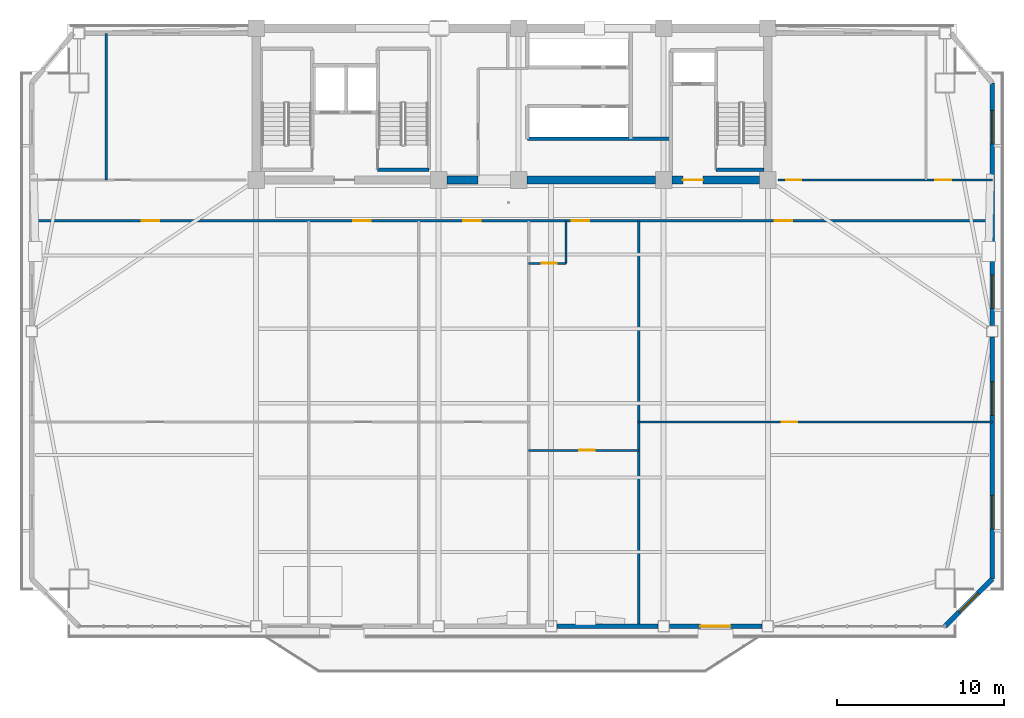
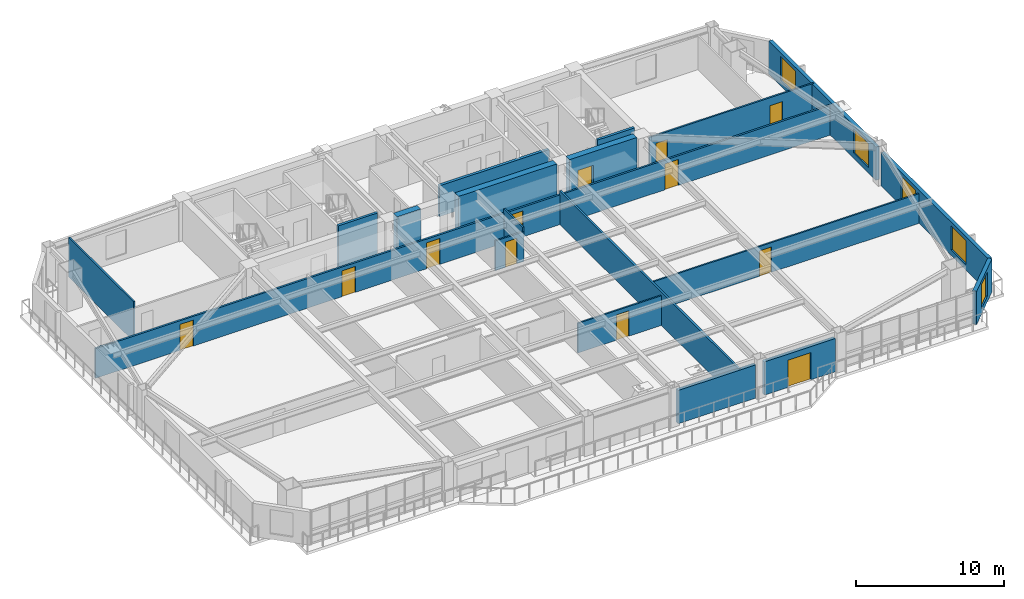
# One storey, part 9 of 17: 19 walls, 12 doors, 5 windows, 17 openings.
"""IFC4 building model written with IfcOpenShell, lengths in metres."""

from ifc_helpers import new_model, si_unit, direction, frame, frame_2d, origin, place, context, subcontext, project, spatial, rectangle, extrude, source, transform, mapped, material, layer, layer_set, type_object, element, fill, save


model = new_model("IFC4")

# Units and contexts
model_context = context("Model", 3, precision=1e-05, world=origin(), true_north=direction((0.0, 1.0)))
body_context = subcontext(model_context, "Body", "Model", "MODEL_VIEW")
ifc_project = project(units=[si_unit("LENGTHUNIT", "METRE"), si_unit("AREAUNIT", "SQUARE_METRE"), si_unit("VOLUMEUNIT", "CUBIC_METRE"), si_unit("PLANEANGLEUNIT", "RADIAN"), si_unit("MASSUNIT", "GRAM", prefix="KILO")], contexts=[model_context])

# Site, building, storey
site_placement = place(None, origin())
site = spatial("IfcSite", under=ifc_project, at=site_placement, CompositionType="ELEMENT")
building_placement = place(site_placement, origin())
building = spatial("IfcBuilding", under=site, at=building_placement, Name="Giltprow Tower", CompositionType="ELEMENT")
storey_placement = place(building_placement, frame((0.0, 0.0, 195.699951171875)))
storey = spatial("IfcBuildingStorey", under=building, at=storey_placement, Name="L49", CompositionType="ELEMENT", Elevation=195.699951171875)

# Wall, opening, window
ifc_material_1 = material(Name="Precast concrete C40", Category="concrete")
ifc_layer_1 = layer(ifc_material_1, 0.300048828125, Name="Precast concrete C40")
ifc_layer_set_1 = layer_set([ifc_layer_1], Name="Precast concrete C40")
wall_type_1 = type_object("IfcWallType", Name="EW-NOTCH-CHAMFER-300", PredefinedType="SOLIDWALL", material=ifc_layer_set_1)
wall_1_placement = place(storey_placement, frame((61.177001953125, 10.679931640625, 0.0), z_axis=(0.0, 0.0, 1.0), x_axis=(0.707106781187, 0.707106781187, 0.0)))
wall_1 = element("IfcWall", 1, at=wall_1_placement, inside=storey, type_object=wall_type_1, Name="L49 Corner Notch Wall SE", PredefinedType="SOLIDWALL", context=body_context, shape_type="SweptSolid", body=[
    extrude(rectangle(XDim=4.00927734375, YDim=0.300048828125, at=frame_2d((2.004638671875, 0.0))), origin(), (0.0, 0.0, 1.0), 2.75),
])
opening_1_placement = place(wall_1_placement, frame((1.205078125, 0.0, 0.449951171875)))
opening_1 = element("IfcOpeningElement", 2, at=opening_1_placement, cuts=wall_1, Name="Opening WN17", PredefinedType="OPENING", context=body_context, shape_type="SweptSolid", body=[
    extrude(rectangle(XDim=1.60009765625, YDim=2.0, at=frame_2d((0.800048828125, 1.0))), frame((0.0, 0.159912109375, 0.0), z_axis=(0.0, -1.0, 0.0), x_axis=(1.0, 0.0, 0.0)), (0.0, 0.0, 1.0), 0.320068359375),
])
ifc_material_2 = material(Name="Insulated glass", Category="glass")
window_type_1 = type_object("IfcWindowType", Name="WN-COR-1600x2000", PartitioningType="SINGLE_PANEL", PredefinedType="WINDOW", material=ifc_material_2)
shared_shape_1 = source(origin(), body_context, "Body", "SweptSolid", [
    extrude(rectangle(XDim=1.60009765625, YDim=2.0, at=frame_2d((0.800048828125, 1.0))), frame((0.0, 0.030029296875, 0.0), z_axis=(0.0, -1.0, 0.0), x_axis=(1.0, 0.0, 0.0)), (0.0, 0.0, 1.0), 0.06005859375),
])
window_1_placement = place(opening_1_placement, origin())
window_1 = element("IfcWindow", 3, at=window_1_placement, inside=storey, type_object=window_type_1, Name="L49 Corner Notch Window SE", OverallHeight=2.0, OverallWidth=1.60009765625, PartitioningType="SINGLE_PANEL", PredefinedType="WINDOW", context=body_context, shape_type="MappedRepresentation", body=[
    mapped(shared_shape_1, transform((0.0, 0.0, 0.0), x_axis=(1.0, 0.0, 0.0), y_axis=(0.0, 1.0, 0.0), z_axis=(0.0, 0.0, 1.0), scale=1.0)),
])
fill(opening_1, window_1)

# Wall
ifc_layer_2 = layer(ifc_material_1, 0.280029296875, Name="Precast concrete C40")
ifc_layer_set_2 = layer_set([ifc_layer_2], Name="Precast concrete C40")
wall_type_2 = type_object("IfcWallType", Name="EW-TOW-BRONZE-280", PredefinedType="SOLIDWALL", material=ifc_layer_set_2)
wall_2_placement = place(storey_placement, frame((37.89990234375, 10.679931640625, 0.0), z_axis=(0.0, 0.0, 1.0), x_axis=(1.0, 0.0, 0.0)))
element("IfcWall", 4, at=wall_2_placement, inside=storey, type_object=wall_type_2, Name="L49 South Expressed Frame Wall 4", PredefinedType="SOLIDWALL", context=body_context, shape_type="SweptSolid", body=[
    extrude(rectangle(XDim=6.050048828125, YDim=0.280029296875, at=frame_2d((3.02490234375, 0.0))), origin(), (0.0, 0.0, 1.0), 2.75),
])

# Wall, opening, door
wall_3_placement = place(storey_placement, frame((44.64990234375, 10.679931640625, 0.0), z_axis=(0.0, 0.0, 1.0), x_axis=(1.0, 0.0, 0.0)))
wall_3 = element("IfcWall", 5, at=wall_3_placement, inside=storey, type_object=wall_type_2, Name="L49 South Expressed Frame Wall 5", PredefinedType="SOLIDWALL", context=body_context, shape_type="SweptSolid", body=[
    extrude(rectangle(XDim=5.550048828125, YDim=0.280029296875, at=frame_2d((2.77490234375, 0.0))), origin(), (0.0, 0.0, 1.0), 2.75),
])
opening_2_placement = place(wall_3_placement, frame((1.85009765625, 0.0, 0.0)))
opening_2 = element("IfcOpeningElement", 6, at=opening_2_placement, cuts=wall_3, Name="Opening ED25", PredefinedType="OPENING", context=body_context, shape_type="SweptSolid", body=[
    extrude(rectangle(XDim=1.800048828125, YDim=2.25, at=frame_2d((0.89990234375, 1.125))), frame((0.0, 0.14990234375, 0.0), z_axis=(0.0, -1.0, 0.0), x_axis=(1.0, 0.0, 0.0)), (0.0, 0.0, 1.0), 0.300048828125),
])
ifc_material_3 = material(Name="Anodized bronze and glass", Category="glass")
door_type_1 = type_object("IfcDoorType", Name="DR-BALC-SLIDE-1800", OperationType="SLIDING_TO_LEFT", PredefinedType="DOOR", material=ifc_material_3)
shared_shape_2 = source(origin(), body_context, "Body", "SweptSolid", [
    extrude(rectangle(XDim=1.800048828125, YDim=2.25, at=frame_2d((0.89990234375, 1.125))), frame((0.0, 0.02490234375, 0.0), z_axis=(0.0, -1.0, 0.0), x_axis=(1.0, 0.0, 0.0)), (0.0, 0.0, 1.0), 0.050048828125),
])
door_1_placement = place(opening_2_placement, origin())
door_1 = element("IfcDoor", 7, at=door_1_placement, inside=storey, type_object=door_type_1, Name="L49 Waterfront Balcony Sliding Door 2", OperationType="SLIDING_TO_LEFT", OverallHeight=2.25, OverallWidth=1.800048828125, PredefinedType="DOOR", context=body_context, shape_type="MappedRepresentation", body=[
    mapped(shared_shape_2, transform((0.0, 0.0, 0.0), x_axis=(1.0, 0.0, 0.0), y_axis=(0.0, 1.0, 0.0), z_axis=(0.0, 0.0, 1.0), scale=1.0)),
])
fill(opening_2, door_1)

# Wall, openings, windows
wall_4_placement = place(storey_placement, frame((64.011962890625, 13.514892578125, 0.0), z_axis=(0.0, 0.0, 1.0), x_axis=(0.0, 1.0, 0.0)))
wall_4 = element("IfcWall", 8, at=wall_4_placement, inside=storey, type_object=wall_type_2, Name="L49 E Wing Masonry Wall 1", PredefinedType="SOLIDWALL", context=body_context, shape_type="SweptSolid", body=[
    extrude(rectangle(XDim=14.525146484375, YDim=0.280029296875, at=frame_2d((7.2626953125, 0.0))), origin(), (0.0, 0.0, 1.0), 2.75),
])
opening_3_placement = place(wall_4_placement, frame((3.01708984375, 0.0, 0.449951171875)))
opening_3 = element("IfcOpeningElement", 9, at=opening_3_placement, cuts=wall_4, Name="Opening WN21", PredefinedType="OPENING", context=body_context, shape_type="SweptSolid", body=[
    extrude(rectangle(XDim=2.0, YDim=2.0, at=frame_2d((1.0, 1.0))), frame((0.0, 0.14990234375, 0.0), z_axis=(0.0, -1.0, 0.0), x_axis=(1.0, 0.0, 0.0)), (0.0, 0.0, 1.0), 0.300048828125),
])
opening_4_placement = place(wall_4_placement, frame((9.824951171875, 0.0, 0.449951171875)))
opening_4 = element("IfcOpeningElement", 10, at=opening_4_placement, cuts=wall_4, Name="Opening WN21", PredefinedType="OPENING", context=body_context, shape_type="SweptSolid", body=[
    extrude(rectangle(XDim=2.0, YDim=2.0, at=frame_2d((1.0, 1.0))), frame((0.0, 0.14990234375, 0.0), z_axis=(0.0, -1.0, 0.0), x_axis=(1.0, 0.0, 0.0)), (0.0, 0.0, 1.0), 0.300048828125),
])
window_type_2 = type_object("IfcWindowType", Name="WN-HTL-2000x2000", PartitioningType="DOUBLE_PANEL_VERTICAL", PredefinedType="WINDOW", material=ifc_material_2)
shared_shape_3 = source(origin(), body_context, "Body", "SweptSolid", [
    extrude(rectangle(XDim=2.0, YDim=2.0, at=frame_2d((1.0, 1.0))), frame((0.0, 0.030029296875, 0.0), z_axis=(0.0, -1.0, 0.0), x_axis=(1.0, 0.0, 0.0)), (0.0, 0.0, 1.0), 0.06005859375),
])
window_2_placement = place(opening_3_placement, origin())
window_2 = element("IfcWindow", 11, at=window_2_placement, inside=storey, type_object=window_type_2, Name="L49 E Wing Window 1-1A", OverallHeight=2.0, OverallWidth=2.0, PartitioningType="SINGLE_PANEL", PredefinedType="WINDOW", context=body_context, shape_type="MappedRepresentation", body=[
    mapped(shared_shape_3, transform((0.0, 0.0, 0.0), x_axis=(1.0, 0.0, 0.0), y_axis=(0.0, 1.0, 0.0), z_axis=(0.0, 0.0, 1.0), scale=1.0)),
])
fill(opening_3, window_2)
window_3_placement = place(opening_4_placement, origin())
window_3 = element("IfcWindow", 12, at=window_3_placement, inside=storey, type_object=window_type_2, Name="L49 E Wing Window 1-1B", OverallHeight=2.0, OverallWidth=2.0, PartitioningType="SINGLE_PANEL", PredefinedType="WINDOW", context=body_context, shape_type="MappedRepresentation", body=[
    mapped(shared_shape_3, transform((0.0, 0.0, 0.0), x_axis=(1.0, 0.0, 0.0), y_axis=(0.0, 1.0, 0.0), z_axis=(0.0, 0.0, 1.0), scale=1.0)),
])
fill(opening_4, window_3)

wall_5_placement = place(storey_placement, frame((64.011962890625, 28.739990234375, 0.0), z_axis=(0.0, 0.0, 1.0), x_axis=(0.0, 1.0, 0.0)))
wall_5 = element("IfcWall", 13, at=wall_5_placement, inside=storey, type_object=wall_type_2, Name="L49 E Wing Masonry Wall 2", PredefinedType="SOLIDWALL", context=body_context, shape_type="SweptSolid", body=[
    extrude(rectangle(XDim=14.52490234375, YDim=0.280029296875, at=frame_2d((7.262451171875, 0.0))), origin(), (0.0, 0.0, 1.0), 2.75),
])
opening_5_placement = place(wall_5_placement, frame((1.011962890625, 0.0, 0.449951171875)))
opening_5 = element("IfcOpeningElement", 14, at=opening_5_placement, cuts=wall_5, Name="Opening WN21", PredefinedType="OPENING", context=body_context, shape_type="SweptSolid", body=[
    extrude(rectangle(XDim=2.0, YDim=2.0, at=frame_2d((1.0, 1.0))), frame((0.0, 0.14990234375, 0.0), z_axis=(0.0, -1.0, 0.0), x_axis=(1.0, 0.0, 0.0)), (0.0, 0.0, 1.0), 0.300048828125),
])
opening_6_placement = place(wall_5_placement, frame((10.884033203125, 0.0, 0.449951171875)))
opening_6 = element("IfcOpeningElement", 15, at=opening_6_placement, cuts=wall_5, Name="Opening WN21", PredefinedType="OPENING", context=body_context, shape_type="SweptSolid", body=[
    extrude(rectangle(XDim=2.0, YDim=2.0, at=frame_2d((1.0, 1.0))), frame((0.0, 0.14990234375, 0.0), z_axis=(0.0, -1.0, 0.0), x_axis=(1.0, 0.0, 0.0)), (0.0, 0.0, 1.0), 0.300048828125),
])
window_4_placement = place(opening_5_placement, origin())
window_4 = element("IfcWindow", 16, at=window_4_placement, inside=storey, type_object=window_type_2, Name="L49 E Wing Window 2-1", OverallHeight=2.0, OverallWidth=2.0, PartitioningType="SINGLE_PANEL", PredefinedType="WINDOW", context=body_context, shape_type="MappedRepresentation", body=[
    mapped(shared_shape_3, transform((0.0, 0.0, 0.0), x_axis=(1.0, 0.0, 0.0), y_axis=(0.0, 1.0, 0.0), z_axis=(0.0, 0.0, 1.0), scale=1.0)),
])
fill(opening_5, window_4)
window_5_placement = place(opening_6_placement, origin())
window_5 = element("IfcWindow", 17, at=window_5_placement, inside=storey, type_object=window_type_2, Name="L49 E Wing Window 2-2", OverallHeight=2.0, OverallWidth=2.0, PartitioningType="SINGLE_PANEL", PredefinedType="WINDOW", context=body_context, shape_type="MappedRepresentation", body=[
    mapped(shared_shape_3, transform((0.0, 0.0, 0.0), x_axis=(1.0, 0.0, 0.0), y_axis=(0.0, 1.0, 0.0), z_axis=(0.0, 0.0, 1.0), scale=1.0)),
])
fill(opening_6, window_5)

# Wall, openings, doors
ifc_material_4 = material(Name="Gypsum stud partition", Category="gypsum")
ifc_layer_3 = layer(ifc_material_4, 0.14990234375, Name="Gypsum stud partition")
ifc_layer_set_3 = layer_set([ifc_layer_3], Name="Gypsum stud partition")
wall_type_3 = type_object("IfcWallType", Name="IW-CORR-150", PredefinedType="PARTITIONING", material=ifc_layer_set_3)
wall_6_placement = place(storey_placement, frame((6.388916015625, 35.0, 0.0), z_axis=(0.0, 0.0, 1.0), x_axis=(1.0, 0.0, 0.0)))
wall_6 = element("IfcWall", 18, at=wall_6_placement, inside=storey, type_object=wall_type_3, Name="L49 Hotel Guestroom Corridor Wall", PredefinedType="PARTITIONING", context=body_context, shape_type="SweptSolid", body=[
    extrude(rectangle(XDim=57.623046875, YDim=0.14990234375, at=frame_2d((28.8115234375, 0.0))), origin(), (0.0, 0.0, 1.0), 2.455078125),
])
opening_7_placement = place(wall_6_placement, frame((6.60498046875, 0.0, 0.0)))
opening_7 = element("IfcOpeningElement", 19, at=opening_7_placement, cuts=wall_6, Name="Opening ID31", PredefinedType="OPENING", context=body_context, shape_type="SweptSolid", body=[
    extrude(rectangle(XDim=1.050048828125, YDim=2.14990234375, at=frame_2d((0.52490234375, 1.074951171875))), frame((0.0, 0.0849609375, 0.0), z_axis=(0.0, -1.0, 0.0), x_axis=(1.0, 0.0, 0.0)), (0.0, 0.0, 1.0), 0.169921875),
])
opening_8_placement = place(wall_6_placement, frame((19.2880859375, 0.0, 0.0)))
opening_8 = element("IfcOpeningElement", 20, at=opening_8_placement, cuts=wall_6, Name="Opening ID31", PredefinedType="OPENING", context=body_context, shape_type="SweptSolid", body=[
    extrude(rectangle(XDim=1.050048828125, YDim=2.14990234375, at=frame_2d((0.52490234375, 1.074951171875))), frame((0.0, 0.0849609375, 0.0), z_axis=(0.0, -1.0, 0.0), x_axis=(1.0, 0.0, 0.0)), (0.0, 0.0, 1.0), 0.169921875),
])
opening_9_placement = place(wall_6_placement, frame((25.887939453125, 0.0, 0.0)))
opening_9 = element("IfcOpeningElement", 21, at=opening_9_placement, cuts=wall_6, Name="Opening ID31", PredefinedType="OPENING", context=body_context, shape_type="SweptSolid", body=[
    extrude(rectangle(XDim=1.050048828125, YDim=2.14990234375, at=frame_2d((0.52490234375, 1.074951171875))), frame((0.0, 0.0849609375, 0.0), z_axis=(0.0, -1.0, 0.0), x_axis=(1.0, 0.0, 0.0)), (0.0, 0.0, 1.0), 0.169921875),
])
opening_10_placement = place(wall_6_placement, frame((32.381103515625, 0.0, 0.0)))
opening_10 = element("IfcOpeningElement", 22, at=opening_10_placement, cuts=wall_6, Name="Opening ID31", PredefinedType="OPENING", context=body_context, shape_type="SweptSolid", body=[
    extrude(rectangle(XDim=1.050048828125, YDim=2.14990234375, at=frame_2d((0.52490234375, 1.074951171875))), frame((0.0, 0.0849609375, 0.0), z_axis=(0.0, -1.0, 0.0), x_axis=(1.0, 0.0, 0.0)), (0.0, 0.0, 1.0), 0.169921875),
])
opening_11_placement = place(wall_6_placement, frame((44.56494140625, 0.0, 0.0)))
opening_11 = element("IfcOpeningElement", 23, at=opening_11_placement, cuts=wall_6, Name="Opening ID31", PredefinedType="OPENING", context=body_context, shape_type="SweptSolid", body=[
    extrude(rectangle(XDim=1.050048828125, YDim=2.14990234375, at=frame_2d((0.52490234375, 1.074951171875))), frame((0.0, 0.0849609375, 0.0), z_axis=(0.0, -1.0, 0.0), x_axis=(1.0, 0.0, 0.0)), (0.0, 0.0, 1.0), 0.169921875),
])
ifc_material_5 = material(Name="Engineered timber", Category="wood")
door_type_2 = type_object("IfcDoorType", Name="DR-SUITE-1050", OperationType="SINGLE_SWING_LEFT", PredefinedType="DOOR", material=ifc_material_5)
shared_shape_4 = source(origin(), body_context, "Body", "SweptSolid", [
    extrude(rectangle(XDim=1.050048828125, YDim=2.14990234375, at=frame_2d((0.52490234375, 1.074951171875))), frame((0.0, 0.02490234375, 0.0), z_axis=(0.0, -1.0, 0.0), x_axis=(1.0, 0.0, 0.0)), (0.0, 0.0, 1.0), 0.050048828125),
])
door_2_placement = place(opening_7_placement, origin())
door_2 = element("IfcDoor", 24, at=door_2_placement, inside=storey, type_object=door_type_2, Name="L49 Suite Reception Foyer Door", OperationType="SINGLE_SWING_LEFT", OverallHeight=2.14990234375, OverallWidth=1.050048828125, PredefinedType="DOOR", context=body_context, shape_type="MappedRepresentation", body=[
    mapped(shared_shape_4, transform((0.0, 0.0, 0.0), x_axis=(1.0, 0.0, 0.0), y_axis=(0.0, 1.0, 0.0), z_axis=(0.0, 0.0, 1.0), scale=1.0)),
])
fill(opening_7, door_2)
door_3_placement = place(opening_8_placement, origin())
door_3 = element("IfcDoor", 25, at=door_3_placement, inside=storey, type_object=door_type_2, Name="L49 Suite Reception Foyer Door", OperationType="SINGLE_SWING_LEFT", OverallHeight=2.14990234375, OverallWidth=1.050048828125, PredefinedType="DOOR", context=body_context, shape_type="MappedRepresentation", body=[
    mapped(shared_shape_4, transform((0.0, 0.0, 0.0), x_axis=(1.0, 0.0, 0.0), y_axis=(0.0, 1.0, 0.0), z_axis=(0.0, 0.0, 1.0), scale=1.0)),
])
fill(opening_8, door_3)
door_4_placement = place(opening_9_placement, origin())
door_4 = element("IfcDoor", 26, at=door_4_placement, inside=storey, type_object=door_type_2, Name="L49 Suite Reception Foyer Door", OperationType="SINGLE_SWING_LEFT", OverallHeight=2.14990234375, OverallWidth=1.050048828125, PredefinedType="DOOR", context=body_context, shape_type="MappedRepresentation", body=[
    mapped(shared_shape_4, transform((0.0, 0.0, 0.0), x_axis=(1.0, 0.0, 0.0), y_axis=(0.0, 1.0, 0.0), z_axis=(0.0, 0.0, 1.0), scale=1.0)),
])
fill(opening_9, door_4)
door_5_placement = place(opening_10_placement, origin())
door_5 = element("IfcDoor", 27, at=door_5_placement, inside=storey, type_object=door_type_2, Name="L49 Hotel Room 4 Entry Door", OperationType="SINGLE_SWING_LEFT", OverallHeight=2.14990234375, OverallWidth=1.050048828125, PredefinedType="DOOR", context=body_context, shape_type="MappedRepresentation", body=[
    mapped(shared_shape_4, transform((0.0, 0.0, 0.0), x_axis=(1.0, 0.0, 0.0), y_axis=(0.0, 1.0, 0.0), z_axis=(0.0, 0.0, 1.0), scale=1.0)),
])
fill(opening_10, door_5)
door_6_placement = place(opening_11_placement, origin())
door_6 = element("IfcDoor", 28, at=door_6_placement, inside=storey, type_object=door_type_2, Name="L49 Suite Reception Foyer Door", OperationType="SINGLE_SWING_RIGHT", OverallHeight=2.14990234375, OverallWidth=1.050048828125, PredefinedType="DOOR", context=body_context, shape_type="MappedRepresentation", body=[
    mapped(shared_shape_4, transform((0.0, 0.0, 0.0), x_axis=(1.0, 0.0, 0.0), y_axis=(0.0, 1.0, 0.0), z_axis=(0.0, 0.0, 1.0), scale=1.0)),
])
fill(opening_11, door_6)

# Wall
ifc_layer_4 = layer(ifc_material_4, 0.159912109375, Name="Gypsum stud partition")
ifc_layer_set_4 = layer_set([ifc_layer_4], Name="Gypsum stud partition")
wall_type_4 = type_object("IfcWallType", Name="IW-DEMISE-160", PredefinedType="PARTITIONING", material=ifc_layer_set_4)
wall_7_placement = place(storey_placement, frame((42.800048828125, 10.679931640625, 0.0), z_axis=(0.0, 0.0, 1.0), x_axis=(0.0, 1.0, 0.0)))
element("IfcWall", 29, at=wall_7_placement, inside=storey, type_object=wall_type_4, Name="L49 Hotel Demising Wall 4", PredefinedType="PARTITIONING", context=body_context, shape_type="SweptSolid", body=[
    extrude(rectangle(XDim=24.320068359375, YDim=0.159912109375, at=frame_2d((12.16015625, 0.0))), origin(), (0.0, 0.0, 1.0), 2.755126953125),
])

# Wall, opening, door
ifc_layer_5 = layer(ifc_material_4, 0.1201171875, Name="Gypsum stud partition")
ifc_layer_set_5 = layer_set([ifc_layer_5], Name="Gypsum stud partition")
wall_type_5 = type_object("IfcWallType", Name="IW-ROOM-120", PredefinedType="PARTITIONING", material=ifc_layer_set_5)
wall_8_placement = place(storey_placement, frame((36.199951171875, 21.23388671875, 0.0), z_axis=(0.0, 0.0, 1.0), x_axis=(1.0, 0.0, 0.0)))
wall_8 = element("IfcWall", 30, at=wall_8_placement, inside=storey, type_object=wall_type_5, Name="L49 Suite Parlour Divider 4", PredefinedType="PARTITIONING", context=body_context, shape_type="SweptSolid", body=[
    extrude(rectangle(XDim=6.60009765625, YDim=0.1201171875, at=frame_2d((3.300048828125, 0.0))), origin(), (0.0, 0.0, 1.0), 2.455078125),
])
opening_12_placement = place(wall_8_placement, frame((3.02490234375, 0.0, 0.0)))
opening_12 = element("IfcOpeningElement", 31, at=opening_12_placement, cuts=wall_8, Name="Opening ID11", PredefinedType="OPENING", context=body_context, shape_type="SweptSolid", body=[
    extrude(rectangle(XDim=0.949951171875, YDim=2.10009765625, at=frame_2d((0.47509765625, 1.050048828125))), frame((0.0, 0.070068359375, 0.0), z_axis=(0.0, -1.0, 0.0), x_axis=(1.0, 0.0, 0.0)), (0.0, 0.0, 1.0), 0.14013671875),
])
door_type_3 = type_object("IfcDoorType", Name="DR-ROOM-950", OperationType="SINGLE_SWING_RIGHT", PredefinedType="DOOR", material=ifc_material_5)
shared_shape_5 = source(origin(), body_context, "Body", "SweptSolid", [
    extrude(rectangle(XDim=0.949951171875, YDim=2.10009765625, at=frame_2d((0.47509765625, 1.050048828125))), frame((0.0, 0.02490234375, 0.0), z_axis=(0.0, -1.0, 0.0), x_axis=(1.0, 0.0, 0.0)), (0.0, 0.0, 1.0), 0.050048828125),
])
door_7_placement = place(opening_12_placement, origin())
door_7 = element("IfcDoor", 32, at=door_7_placement, inside=storey, type_object=door_type_3, Name="L49 Harbour Parlour 4 Door", OperationType="SINGLE_SWING_LEFT", OverallHeight=2.10009765625, OverallWidth=0.949951171875, PredefinedType="DOOR", context=body_context, shape_type="MappedRepresentation", body=[
    mapped(shared_shape_5, transform((0.0, 0.0, 0.0), x_axis=(1.0, 0.0, 0.0), y_axis=(0.0, 1.0, 0.0), z_axis=(0.0, 0.0, 1.0), scale=1.0)),
])
fill(opening_12, door_7)

wall_9_placement = place(storey_placement, frame((42.800048828125, 22.93994140625, 0.0), z_axis=(0.0, 0.0, 1.0), x_axis=(1.0, 0.0, 0.0)))
wall_9 = element("IfcWall", 33, at=wall_9_placement, inside=storey, type_object=wall_type_5, Name="L49 Amenity Mid Wall 5", PredefinedType="PARTITIONING", context=body_context, shape_type="SweptSolid", body=[
    extrude(rectangle(XDim=21.2119140625, YDim=0.1201171875, at=frame_2d((10.60595703125, 0.0))), origin(), (0.0, 0.0, 1.0), 2.455078125),
])
opening_13_placement = place(wall_9_placement, frame((8.571044921875, 0.0, 0.0)))
opening_13 = element("IfcOpeningElement", 34, at=opening_13_placement, cuts=wall_9, Name="Opening ID11", PredefinedType="OPENING", context=body_context, shape_type="SweptSolid", body=[
    extrude(rectangle(XDim=0.949951171875, YDim=2.10009765625, at=frame_2d((0.47509765625, 1.050048828125))), frame((0.0, 0.070068359375, 0.0), z_axis=(0.0, -1.0, 0.0), x_axis=(1.0, 0.0, 0.0)), (0.0, 0.0, 1.0), 0.14013671875),
])
door_8_placement = place(opening_13_placement, origin())
door_8 = element("IfcDoor", 35, at=door_8_placement, inside=storey, type_object=door_type_3, Name="L49 Tea Ceremony Kitchen 4 Inner Door", OperationType="SINGLE_SWING_LEFT", OverallHeight=2.10009765625, OverallWidth=0.949951171875, PredefinedType="DOOR", context=body_context, shape_type="MappedRepresentation", body=[
    mapped(shared_shape_5, transform((0.0, 0.0, 0.0), x_axis=(1.0, 0.0, 0.0), y_axis=(0.0, 1.0, 0.0), z_axis=(0.0, 0.0, 1.0), scale=1.0)),
])
fill(opening_13, door_8)

# Walls
ifc_material_6 = material(Name="Concrete C40", Category="concrete")
ifc_layer_6 = layer(ifc_material_6, 0.219970703125, Name="Concrete C40")
ifc_layer_set_6 = layer_set([ifc_layer_6], Name="Concrete C40")
wall_type_6 = type_object("IfcWallType", Name="IW-SHAFT-220", PredefinedType="SOLIDWALL", material=ifc_layer_set_6)
wall_10_placement = place(storey_placement, frame((36.1201171875, 39.919921875, 0.0), z_axis=(0.0, 0.0, 1.0), x_axis=(1.0, 0.0, 0.0)))
element("IfcWall", 36, at=wall_10_placement, inside=storey, type_object=wall_type_6, Name="L49 Mid-Rise South Lift Back Wall", PredefinedType="SOLIDWALL", context=body_context, shape_type="SweptSolid", body=[
    extrude(rectangle(XDim=8.599853515625, YDim=0.219970703125, at=frame_2d((4.2998046875, 0.0))), origin(), (0.0, 0.0, 1.0), 2.554931640625),
])
ifc_layer_7 = layer(ifc_material_6, 0.199951171875, Name="Concrete C40")
ifc_layer_set_7 = layer_set([ifc_layer_7], Name="Concrete C40")
wall_type_7 = type_object("IfcWallType", Name="IW-STAIR-200", PredefinedType="SOLIDWALL", material=ifc_layer_set_7)
wall_11_placement = place(storey_placement, frame((27.139892578125, 38.070068359375, 0.0), z_axis=(0.0, 0.0, 1.0), x_axis=(1.0, 0.0, 0.0)))
element("IfcWall", 37, at=wall_11_placement, inside=storey, type_object=wall_type_7, Name="L49 Stair ST-2 South Bearing Wall", PredefinedType="SOLIDWALL", context=body_context, shape_type="SweptSolid", body=[
    extrude(rectangle(XDim=3.080078125, YDim=0.199951171875, at=frame_2d((1.5400390625, 0.0))), origin(), (0.0, 0.0, 1.0), 3.5),
])
wall_12_placement = place(storey_placement, frame((47.43994140625, 38.070068359375, 0.0), z_axis=(0.0, 0.0, 1.0), x_axis=(1.0, 0.0, 0.0)))
element("IfcWall", 38, at=wall_12_placement, inside=storey, type_object=wall_type_7, Name="L49 Stair ST-3 South Bearing Wall", PredefinedType="SOLIDWALL", context=body_context, shape_type="SweptSolid", body=[
    extrude(rectangle(XDim=2.880126953125, YDim=0.199951171875, at=frame_2d((1.43994140625, 0.0))), origin(), (0.0, 0.0, 1.0), 3.5),
])

# Wall, opening, door
ifc_material_7 = material(Name="Concrete C30", Category="concrete")
ifc_layer_8 = layer(ifc_material_7, 0.1298828125, Name="Concrete C30")
ifc_layer_set_8 = layer_set([ifc_layer_8], Name="Concrete C30")
wall_type_8 = type_object("IfcWallType", Name="IW-WET-130", PredefinedType="PARTITIONING", material=ifc_layer_set_8)
wall_13_placement = place(storey_placement, frame((36.199951171875, 32.449951171875, 0.0), z_axis=(0.0, 0.0, 1.0), x_axis=(1.0, 0.0, 0.0)))
wall_13 = element("IfcWall", 39, at=wall_13_placement, inside=storey, type_object=wall_type_8, Name="L49 En-Suite South Wall 4", PredefinedType="PARTITIONING", context=body_context, shape_type="SweptSolid", body=[
    extrude(rectangle(XDim=2.22998046875, YDim=0.1298828125, at=frame_2d((1.114990234375, 0.0))), origin(), (0.0, 0.0, 1.0), 2.455078125),
])
opening_14_placement = place(wall_13_placement, frame((0.784912109375, 0.0, 0.0)))
opening_14 = element("IfcOpeningElement", 40, at=opening_14_placement, cuts=wall_13, Name="Opening ID15", PredefinedType="OPENING", context=body_context, shape_type="SweptSolid", body=[
    extrude(rectangle(XDim=0.89990234375, YDim=2.10009765625, at=frame_2d((0.449951171875, 1.050048828125))), frame((0.0, 0.074951171875, 0.0), z_axis=(0.0, -1.0, 0.0), x_axis=(1.0, 0.0, 0.0)), (0.0, 0.0, 1.0), 0.14990234375),
])
door_type_4 = type_object("IfcDoorType", Name="DR-WC-900", OperationType="SINGLE_SWING_LEFT", PredefinedType="DOOR", material=ifc_material_5)
shared_shape_6 = source(origin(), body_context, "Body", "SweptSolid", [
    extrude(rectangle(XDim=0.89990234375, YDim=2.10009765625, at=frame_2d((0.449951171875, 1.050048828125))), frame((0.0, 0.02490234375, 0.0), z_axis=(0.0, -1.0, 0.0), x_axis=(1.0, 0.0, 0.0)), (0.0, 0.0, 1.0), 0.050048828125),
])
door_9_placement = place(opening_14_placement, origin())
door_9 = element("IfcDoor", 41, at=door_9_placement, inside=storey, type_object=door_type_4, Name="L49 En-Suite 4 Door", OperationType="SINGLE_SWING_RIGHT", OverallHeight=2.10009765625, OverallWidth=0.89990234375, PredefinedType="DOOR", context=body_context, shape_type="MappedRepresentation", body=[
    mapped(shared_shape_6, transform((0.0, 0.0, 0.0), x_axis=(1.0, 0.0, 0.0), y_axis=(0.0, 1.0, 0.0), z_axis=(0.0, 0.0, 1.0), scale=1.0)),
])
fill(opening_14, door_9)

# Walls
wall_14_placement = place(storey_placement, frame((38.429931640625, 32.449951171875, 0.0), z_axis=(0.0, 0.0, 1.0), x_axis=(0.0, 1.0, 0.0)))
element("IfcWall", 42, at=wall_14_placement, inside=storey, type_object=wall_type_8, Name="L49 En-Suite East Wall 4", PredefinedType="PARTITIONING", context=body_context, shape_type="SweptSolid", body=[
    extrude(rectangle(XDim=2.550048828125, YDim=0.1298828125, at=frame_2d((1.27490234375, 0.0))), origin(), (0.0, 0.0, 1.0), 2.804931640625),
])
wall_15_placement = place(storey_placement, frame((10.860107421875, 37.449951171875, 0.0), z_axis=(0.0, 0.0, 1.0), x_axis=(0.0, 1.0, 0.0)))
element("IfcWall", 43, at=wall_15_placement, inside=storey, type_object=wall_type_8, Name="L49 NW Wing Divider", PredefinedType="PARTITIONING", context=body_context, shape_type="SweptSolid", body=[
    extrude(rectangle(XDim=8.800048828125, YDim=0.1298828125, at=frame_2d((4.39990234375, 0.0))), origin(), (0.0, 0.0, 1.0), 3.27001953125),
])

# Wall, openings, doors
wall_16_placement = place(storey_placement, frame((51.14990234375, 37.449951171875, 0.0), z_axis=(0.0, 0.0, 1.0), x_axis=(1.0, 0.0, 0.0)))
wall_16 = element("IfcWall", 44, at=wall_16_placement, inside=storey, type_object=wall_type_8, Name="L49 NE Wing South Wall", PredefinedType="PARTITIONING", context=body_context, shape_type="SweptSolid", body=[
    extrude(rectangle(XDim=12.862060546875, YDim=0.1298828125, at=frame_2d((6.43115234375, 0.0))), origin(), (0.0, 0.0, 1.0), 2.755126953125),
])
opening_15_placement = place(wall_16_placement, frame((0.5, 0.0, 0.0)))
opening_15 = element("IfcOpeningElement", 45, at=opening_15_placement, cuts=wall_16, Name="Opening ID15", PredefinedType="OPENING", context=body_context, shape_type="SweptSolid", body=[
    extrude(rectangle(XDim=0.89990234375, YDim=2.10009765625, at=frame_2d((0.449951171875, 1.050048828125))), frame((0.0, 0.074951171875, 0.0), z_axis=(0.0, -1.0, 0.0), x_axis=(1.0, 0.0, 0.0)), (0.0, 0.0, 1.0), 0.14990234375),
])
opening_16_placement = place(wall_16_placement, frame((9.443115234375, 0.0, 0.0)))
opening_16 = element("IfcOpeningElement", 46, at=opening_16_placement, cuts=wall_16, Name="Opening ID11", PredefinedType="OPENING", context=body_context, shape_type="SweptSolid", body=[
    extrude(rectangle(XDim=0.949951171875, YDim=2.10009765625, at=frame_2d((0.47509765625, 1.050048828125))), frame((0.0, 0.074951171875, 0.0), z_axis=(0.0, -1.0, 0.0), x_axis=(1.0, 0.0, 0.0)), (0.0, 0.0, 1.0), 0.14990234375),
])
door_10_placement = place(opening_15_placement, origin())
door_10 = element("IfcDoor", 47, at=door_10_placement, inside=storey, type_object=door_type_4, Name="L49 East Wing Washroom Door", OperationType="SINGLE_SWING_RIGHT", OverallHeight=2.10009765625, OverallWidth=0.89990234375, PredefinedType="DOOR", context=body_context, shape_type="MappedRepresentation", body=[
    mapped(shared_shape_6, transform((0.0, 0.0, 0.0), x_axis=(1.0, 0.0, 0.0), y_axis=(0.0, 1.0, 0.0), z_axis=(0.0, 0.0, 1.0), scale=1.0)),
])
fill(opening_15, door_10)
door_11_placement = place(opening_16_placement, origin())
door_11 = element("IfcDoor", 48, at=door_11_placement, inside=storey, type_object=door_type_3, Name="L49 Hotel Floor Linen Store Door", OperationType="SINGLE_SWING_LEFT", OverallHeight=2.10009765625, OverallWidth=0.949951171875, PredefinedType="DOOR", context=body_context, shape_type="MappedRepresentation", body=[
    mapped(shared_shape_5, transform((0.0, 0.0, 0.0), x_axis=(1.0, 0.0, 0.0), y_axis=(0.0, 1.0, 0.0), z_axis=(0.0, 0.0, 1.0), scale=1.0)),
])
fill(opening_16, door_11)

# Walls
ifc_material_8 = material(Name="Concrete C50", Category="concrete")
ifc_layer_9 = layer(ifc_material_8, 0.5, Name="Concrete C50")
ifc_layer_set_9 = layer_set([ifc_layer_9], Name="Concrete C50")
wall_type_9 = type_object("IfcWallType", Name="SW-INT-500-C50", PredefinedType="SHEAR", material=ifc_layer_set_9)
wall_17_placement = place(storey_placement, frame((31.300048828125, 37.449951171875, 0.0), z_axis=(0.0, 0.0, 1.0), x_axis=(1.0, 0.0, 0.0)))
element("IfcWall", 49, at=wall_17_placement, inside=storey, type_object=wall_type_9, Name="L49 South Rear Core Shear Wall Mid-West", PredefinedType="SHEAR", context=body_context, shape_type="SweptSolid", body=[
    extrude(rectangle(XDim=1.849853515625, YDim=0.5, at=frame_2d((0.9248046875, 0.0))), origin(), (0.0, 0.0, 1.0), 3.27001953125),
])
wall_18_placement = place(storey_placement, frame((36.10009765625, 37.449951171875, 0.0), z_axis=(0.0, 0.0, 1.0), x_axis=(1.0, 0.0, 0.0)))
element("IfcWall", 50, at=wall_18_placement, inside=storey, type_object=wall_type_9, Name="L49 South Rear Core Shear Wall Mid-East", PredefinedType="SHEAR", context=body_context, shape_type="SweptSolid", body=[
    extrude(rectangle(XDim=7.699951171875, YDim=0.5, at=frame_2d((3.85009765625, 0.0))), origin(), (0.0, 0.0, 1.0), 3.27001953125),
])

# Wall, opening, door
wall_19_placement = place(storey_placement, frame((44.800048828125, 37.449951171875, 0.0), z_axis=(0.0, 0.0, 1.0), x_axis=(1.0, 0.0, 0.0)))
wall_19 = element("IfcWall", 51, at=wall_19_placement, inside=storey, type_object=wall_type_9, Name="L49 South Rear Core Shear Wall East", PredefinedType="SHEAR", context=body_context, shape_type="SweptSolid", body=[
    extrude(rectangle(XDim=5.25, YDim=0.5, at=frame_2d((2.625, 0.0))), origin(), (0.0, 0.0, 1.0), 3.27001953125),
])
opening_17_placement = place(wall_19_placement, frame((0.64990234375, 0.0, 0.0)))
opening_17 = element("IfcOpeningElement", 52, at=opening_17_placement, cuts=wall_19, Name="Opening ID19", PredefinedType="OPENING", context=body_context, shape_type="SweptSolid", body=[
    extrude(rectangle(XDim=1.199951171875, YDim=2.14990234375, at=frame_2d((0.60009765625, 1.074951171875))), frame((0.0, 0.260009765625, 0.0), z_axis=(0.0, -1.0, 0.0), x_axis=(1.0, 0.0, 0.0)), (0.0, 0.0, 1.0), 0.52001953125),
])
ifc_material_9 = material(Name="Steel fire leaf", Category="steel")
door_type_5 = type_object("IfcDoorType", Name="DR-FFLOBBY-1200", OperationType="SINGLE_SWING_RIGHT", PredefinedType="DOOR", material=ifc_material_9)
shared_shape_7 = source(origin(), body_context, "Body", "SweptSolid", [
    extrude(rectangle(XDim=1.199951171875, YDim=2.14990234375, at=frame_2d((0.60009765625, 1.074951171875))), frame((0.0, 0.02490234375, 0.0), z_axis=(0.0, -1.0, 0.0), x_axis=(1.0, 0.0, 0.0)), (0.0, 0.0, 1.0), 0.050048828125),
])
door_12_placement = place(opening_17_placement, origin())
door_12 = element("IfcDoor", 53, at=door_12_placement, inside=storey, type_object=door_type_5, Name="L49 East Firefighting Lobby Entry Door", OperationType="SINGLE_SWING_RIGHT", OverallHeight=2.14990234375, OverallWidth=1.199951171875, PredefinedType="DOOR", context=body_context, shape_type="MappedRepresentation", body=[
    mapped(shared_shape_7, transform((0.0, 0.0, 0.0), x_axis=(1.0, 0.0, 0.0), y_axis=(0.0, 1.0, 0.0), z_axis=(0.0, 0.0, 1.0), scale=1.0)),
])
fill(opening_17, door_12)

save(model, "model.ifc")
